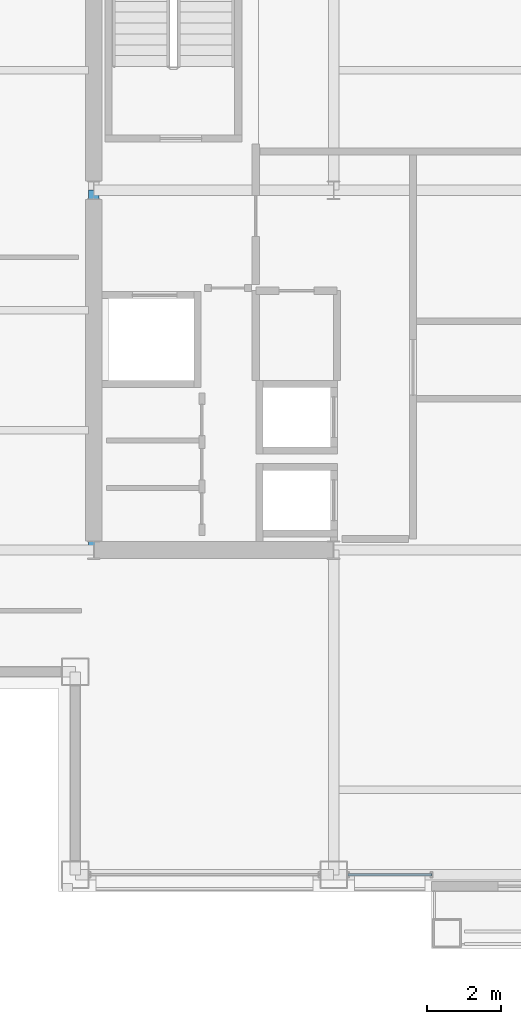
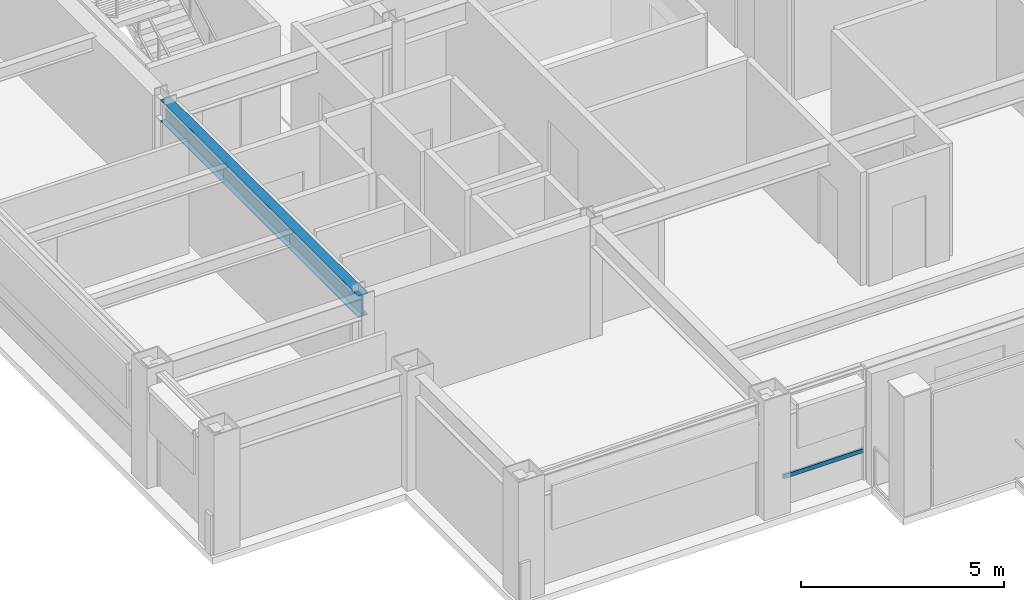
# One storey, part 4 of 30: 1 beam, 1 member, 1 element without a shape of its own.
"""IFC4 building model written with IfcOpenShell, lengths in metres."""

import ifcopenshell
import ifcopenshell.guid

model = None  # the IFC model being written
_history = None  # IfcOwnerHistory: only IFC2X3 demands one
_inside = {}  # id of a spatial element -> (the spatial element, [elements in it])
_under = {}  # id of a project, library or spatial element -> (it, [spatial elements below it])
_declared = {}  # id of a project -> (the project, [libraries it declares])
_typed = {}  # id of a type object -> (the type object, [elements of that type])
_made_of = {}  # id of a material, layer set ... -> (it, [elements and type objects made of it])


def new_model(schema):
    """Start an empty IFC model of exactly this schema.

    Asked for "IFC4X3", IfcOpenShell would pick the latest addendum, in which some entities
    have other attributes; the version numbers below select the first issue.
    IFC2X3 requires an IfcOwnerHistory on every rooted entity: one is made here for all.
    """
    global model, _history
    if schema == "IFC4X3":
        model = ifcopenshell.file(schema_version=(4, 3, 0, 0))
    else:
        model = ifcopenshell.file(schema=schema)
    _inside.clear()
    _under.clear()
    _declared.clear()
    _typed.clear()
    _made_of.clear()
    _history = None
    if model.schema == "IFC2X3":
        org = make("IfcOrganization", Name="unknown")
        user = make(
            "IfcPersonAndOrganization",
            ThePerson=make("IfcPerson", FamilyName="unknown"),
            TheOrganization=org,
        )
        app = make(
            "IfcApplication",
            ApplicationDeveloper=org,
            Version="unknown",
            ApplicationFullName="unknown",
            ApplicationIdentifier="unknown",
        )
        _history = make(
            "IfcOwnerHistory",
            OwningUser=user,
            OwningApplication=app,
            ChangeAction="ADDED",
            CreationDate=0,
        )
    return model


def make(cls, **values):
    """One entity of the class cls with the attributes given. An attribute that is None is left unset."""
    return model.create_entity(
        cls, **{name: value for name, value in values.items() if value is not None}
    )


def rooted(cls, **values):
    """An entity with a GlobalId (a new one), such as an element, a storey or a relation."""
    return make(cls, GlobalId=ifcopenshell.guid.new(), OwnerHistory=_history, **values)


def si_unit(unit_type, name, prefix=None):
    """IfcSIUnit, for example si_unit("LENGTHUNIT", "METRE", prefix="MILLI")."""
    return make("IfcSIUnit", UnitType=unit_type, Prefix=prefix, Name=name)


def assignment(units):
    """IfcUnitAssignment: the units of a project."""
    return None if units is None else make("IfcUnitAssignment", Units=units)


def point(xyz):
    """IfcCartesianPoint."""
    return None if xyz is None else make("IfcCartesianPoint", Coordinates=xyz)


def direction(xyz):
    """IfcDirection."""
    return None if xyz is None else make("IfcDirection", DirectionRatios=xyz)


def frame(location, z_axis=None, x_axis=None):
    """IfcAxis2Placement3D, a coordinate frame: its origin and axes. An axis left out is left unset."""
    return make(
        "IfcAxis2Placement3D",
        Location=point(location),
        Axis=direction(z_axis),
        RefDirection=direction(x_axis),
    )


def frame_2d(location, x_axis=None):
    """IfcAxis2Placement2D, a coordinate frame in the plane: its origin and x axis."""
    return make(
        "IfcAxis2Placement2D", Location=point(location), RefDirection=direction(x_axis)
    )


def origin():
    """The frame at (0, 0, 0) with its axes left unset."""
    return frame((0.0, 0.0, 0.0))


def origin_2d():
    """The frame at (0, 0) in the plane with its x axis left unset."""
    return frame_2d((0.0, 0.0))


def place(relative_to, where):
    """IfcLocalPlacement: puts the frame where relative to a parent placement (None: the world)."""
    return make(
        "IfcLocalPlacement", PlacementRelTo=relative_to, RelativePlacement=where
    )


def context(
    kind, dimensions, precision=None, world=None, true_north=None, identifier=None
):
    """IfcGeometricRepresentationContext, for example the 3D "Model" context."""
    return make(
        "IfcGeometricRepresentationContext",
        ContextIdentifier=identifier,
        ContextType=kind,
        CoordinateSpaceDimension=dimensions,
        Precision=precision,
        WorldCoordinateSystem=world,
        TrueNorth=true_north,
    )


def subcontext(parent, identifier, kind, view, scale=None):
    """IfcGeometricRepresentationSubContext, for example "Body" below "Model"."""
    return make(
        "IfcGeometricRepresentationSubContext",
        ContextIdentifier=identifier,
        ContextType=kind,
        ParentContext=parent,
        TargetScale=scale,
        TargetView=view,
    )


def project(units=None, contexts=None):
    """IfcProject with its units and contexts."""
    return rooted(
        "IfcProject",
        Name="project",
        RepresentationContexts=contexts,
        UnitsInContext=assignment(units),
    )


def spatial(cls, under=None, at=None, **own):
    """A site, building, storey or space (cls), placed at a placement, below another one or the project."""
    s = rooted(cls, ObjectPlacement=at, **own)
    if under is not None:
        _under.setdefault(under.id(), (under, []))[1].append(s)
    return s


def profile(cls, at=None, kind="AREA", **sizes):
    """A parametric profile (cls). Its sizes go by their IFC names, for example OverallWidth=200.0."""
    return make(cls, ProfileType=kind, Position=at, **sizes)


def hollow_rectangle(**sizes):
    """IfcRectangleHollowProfileDef."""
    return profile("IfcRectangleHollowProfileDef", **sizes)


def i_section(**sizes):
    """IfcIShapeProfileDef."""
    return profile("IfcIShapeProfileDef", **sizes)


def extrude(swept, where, along, depth):
    """IfcExtrudedAreaSolid: the profile swept, set in the frame where, extruded along a direction by depth."""
    return make(
        "IfcExtrudedAreaSolid",
        SweptArea=swept,
        Position=where,
        ExtrudedDirection=direction(along),
        Depth=depth,
    )


def shape(context_of_items, identifier, shape_type, items):
    """IfcShapeRepresentation: the items that make up one representation, for example the "Body"."""
    return make(
        "IfcShapeRepresentation",
        ContextOfItems=context_of_items,
        RepresentationIdentifier=identifier,
        RepresentationType=shape_type,
        Items=items,
    )


def material(Name=None, Category=None):
    """IfcMaterial."""
    return make("IfcMaterial", Name=Name, Category=Category)


def layer(
    of_material, thickness, ventilated=None, Name=None, Category=None, Priority=None
):
    """IfcMaterialLayer: one layer of a wall or slab, of a material (None: an air gap)."""
    return make(
        "IfcMaterialLayer",
        Material=of_material,
        LayerThickness=thickness,
        IsVentilated=ventilated,
        Name=Name,
        Category=Category,
        Priority=Priority,
    )


def layer_set(layers, Name=None):
    """IfcMaterialLayerSet."""
    return make("IfcMaterialLayerSet", MaterialLayers=layers, LayerSetName=Name)


def material_profile(
    of_material, cross_section, Name=None, Category=None, Priority=None
):
    """IfcMaterialProfile: a cross section and its material."""
    return make(
        "IfcMaterialProfile",
        Name=Name,
        Material=of_material,
        Profile=cross_section,
        Priority=Priority,
        Category=Category,
    )


def profile_set(profiles, Name=None, composite=None):
    """IfcMaterialProfileSet."""
    return make(
        "IfcMaterialProfileSet",
        Name=Name,
        MaterialProfiles=profiles,
        CompositeProfile=composite,
    )


def made_of(thing, what):
    """Note that an element or type object is made of a material, layer set ...; save() writes the relation."""
    if what is not None:
        _made_of.setdefault(what.id(), (what, []))[1].append(thing)
    return thing


def type_object(cls, material=None, **own):
    """A type object (cls), such as IfcWallType, which elements share."""
    return made_of(rooted(cls, **own), material)


def element(
    cls,
    number,
    at=None,
    inside=None,
    cuts=None,
    type_object=None,
    material=None,
    context=None,
    identifier="Body",
    shape_type=None,
    held_by="IfcProductDefinitionShape",
    body=None,
    shapes=None,
    **own,
):
    """One element of the class cls, such as IfcWall. Its Tag is "e" and its number.

    at: its placement. inside: the storey or other place that contains it. cuts: it is an
    opening in that element (IfcRelVoidsElement). A single representation is given by context,
    identifier, shape_type and body (its items); several are given by shapes. held_by: the class
    of the entity that holds the representations. save() writes the other relations.
    """
    e = rooted(cls, Tag="e%d" % number, ObjectPlacement=at, **own)
    if body is not None:
        shapes = [shape(context, identifier, shape_type, body)]
    if shapes is not None:
        e.Representation = make(held_by, Representations=shapes)
    if inside is not None:
        _inside.setdefault(inside.id(), (inside, []))[1].append(e)
    if cuts is not None:
        rooted(
            "IfcRelVoidsElement", RelatingBuildingElement=cuts, RelatedOpeningElement=e
        )
    if type_object is not None:
        _typed.setdefault(type_object.id(), (type_object, []))[1].append(e)
    return made_of(e, material)


def aggregate(whole, parts):
    """IfcRelAggregates: a whole, such as a stair, and the parts it consists of."""
    return rooted("IfcRelAggregates", RelatingObject=whole, RelatedObjects=parts)


def save(model, path):
    """Write the relations noted so far, then the file.

    IfcRelAggregates (storeys below a building ...), IfcRelContainedInSpatialStructure (elements
    in a storey), IfcRelDefinesByType, IfcRelAssociatesMaterial and IfcRelDeclares: one each for
    every whole, place, type object, material and project.
    """
    for whole, parts in _under.values():
        aggregate(whole, parts)
    for where, things in _inside.values():
        rooted(
            "IfcRelContainedInSpatialStructure",
            RelatedElements=things,
            RelatingStructure=where,
        )
    for kind, things in _typed.values():
        rooted("IfcRelDefinesByType", RelatedObjects=things, RelatingType=kind)
    for what, things in _made_of.values():
        rooted("IfcRelAssociatesMaterial", RelatedObjects=things, RelatingMaterial=what)
    for by, libraries in _declared.values():
        rooted("IfcRelDeclares", RelatingContext=by, RelatedDefinitions=libraries)
    model.write(path)


model = new_model("IFC4")

# Units and contexts
model_context = context("Model", 3, precision=1e-05, world=origin(), true_north=direction((0.0, 1.0)))
body_context = subcontext(model_context, "Body", "Model", "MODEL_VIEW")
ifc_project = project(units=[si_unit("LENGTHUNIT", "METRE"), si_unit("AREAUNIT", "SQUARE_METRE"), si_unit("VOLUMEUNIT", "CUBIC_METRE"), si_unit("PLANEANGLEUNIT", "RADIAN"), si_unit("MASSUNIT", "GRAM", prefix="KILO")], contexts=[model_context])

# Site, building, storey
site_placement = place(None, origin())
site = spatial("IfcSite", under=ifc_project, at=site_placement, CompositionType="ELEMENT")
building_placement = place(site_placement, origin())
building = spatial("IfcBuilding", under=site, at=building_placement, Name="Brelmoor Portico Tower", CompositionType="ELEMENT")
storey_placement = place(building_placement, frame((0.0, 0.0, 169.5)))
storey = spatial("IfcBuildingStorey", under=building, at=storey_placement, Name="L44", CompositionType="ELEMENT", Elevation=169.5)

# Beam
ifc_material_1 = material(Name="Steel Q355B", Category="steel")
ifc_material_profile_1 = material_profile(ifc_material_1, i_section(OverallWidth=0.280029296875, OverallDepth=0.64990234375, WebThickness=0.012939453125, FlangeThickness=0.02197265625, at=origin_2d()), Name="HN 650x280x13x22")
ifc_profile_set_1 = profile_set([ifc_material_profile_1], Name="Steel Q355B")
beam_type = type_object("IfcBeamType", Name="BM-PG-650", PredefinedType="BEAM", material=ifc_profile_set_1)
beam_placement = place(storey_placement, frame((-14.550048828125, -9.75, 3.074951171875), z_axis=(0.0, 1.0, 0.0), x_axis=(-1.0, 0.0, 0.0)))
element("IfcBeam", 1, at=beam_placement, inside=storey, type_object=beam_type, Name="L44 Primary Floor Girder PG-01", PredefinedType="BEAM", context=body_context, shape_type="SweptSolid", body=[
    extrude(i_section(OverallWidth=0.280029296875, OverallDepth=0.64990234375, WebThickness=0.012939453125, FlangeThickness=0.02197265625, at=origin_2d()), origin(), (0.0, 0.0, 1.0), 9.75),
])

# Curtain wall, member
ifc_material_2 = material(Name="Anodised Aluminium Alloy 6063-T6", Category="aluminium")
ifc_layer = layer(ifc_material_2, 0.179931640625)
ifc_layer_set = layer_set([ifc_layer], Name="Anodised Aluminium Alloy 6063-T6")
curtain_wall_type = type_object("IfcCurtainWallType", Name="CW-TOWER-Z3", PredefinedType="NOTDEFINED", material=ifc_layer_set)
curtain_wall_placement = place(storey_placement, origin())
curtain_wall = element("IfcCurtainWall", 2, at=curtain_wall_placement, inside=storey, type_object=curtain_wall_type, Name="L44 Curtain Wall CW-L44-1L-2", PredefinedType="NOTDEFINED")
ifc_material_profile_2 = material_profile(ifc_material_2, hollow_rectangle(XDim=0.06005859375, YDim=0.125, WallThickness=0.00341796875, at=origin_2d()), Name="ALU TRANSOM 60x125")
ifc_profile_set_2 = profile_set([ifc_material_profile_2], Name="Anodised Aluminium Alloy 6063-T6")
member_type = type_object("IfcMemberType", Name="MB-CW-TRAN-125", PredefinedType="USERDEFINED", material=ifc_profile_set_2)
member_placement = place(storey_placement, frame((-7.6650390625, -18.550048828125, 0.85009765625), z_axis=(1.0, 0.0, 0.0), x_axis=(0.0, 1.0, 0.0)))
member = element("IfcMember", 3, at=member_placement, type_object=member_type, Name="CW-L44-1L-2 Transom 1-00", ObjectType="TRANSOM", PredefinedType="USERDEFINED", context=body_context, shape_type="SweptSolid", body=[
    extrude(hollow_rectangle(XDim=0.06005859375, YDim=0.125, WallThickness=0.00341796875, at=origin_2d()), origin(), (0.0, 0.0, 1.0), 2.26513671875),
])
aggregate(curtain_wall, [member])

save(model, "model.ifc")
